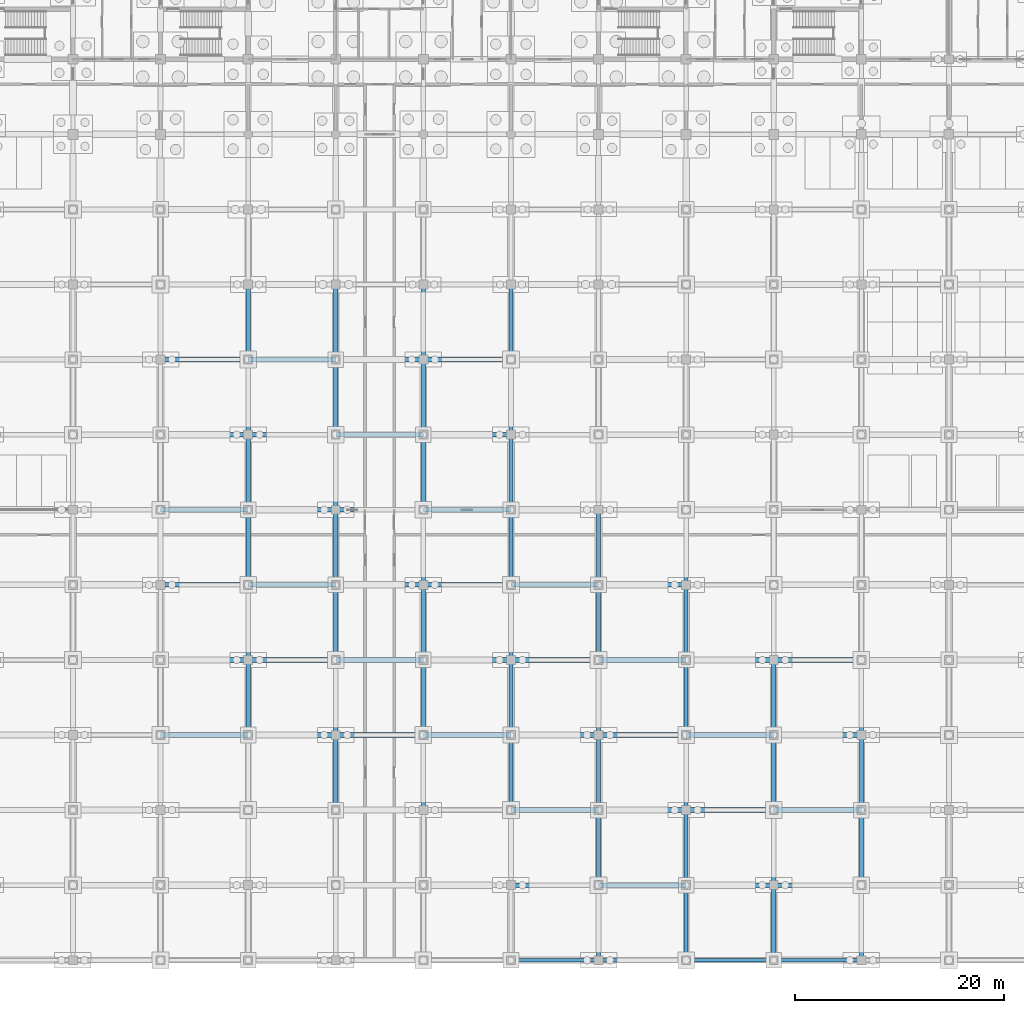
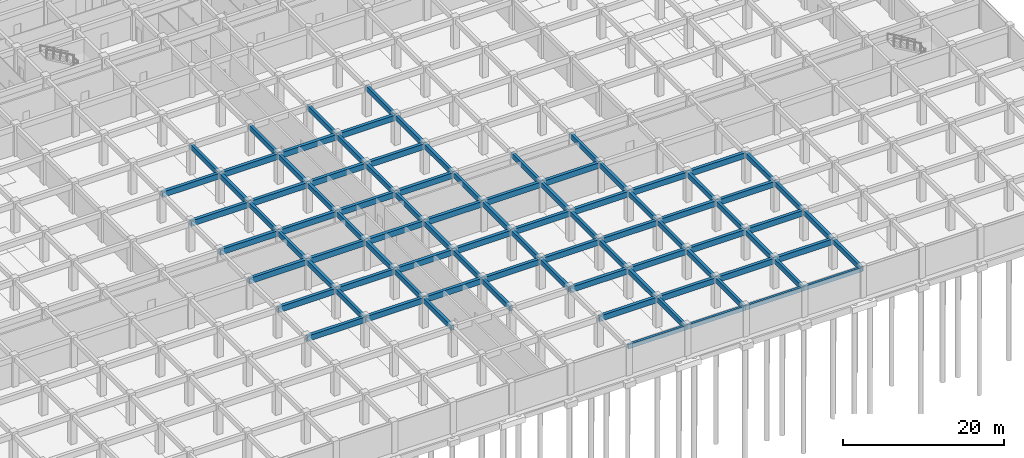
# One storey, part 20 of 85: 93 beams.
"""IFC4 building model written with IfcOpenShell, lengths in metres."""

from ifc_helpers import new_model, si_unit, direction, frame, origin, origin_2d, place, context, subcontext, project, spatial, rectangle, extrude, material, material_profile, profile_set, type_object, element, save


model = new_model("IFC4")

# Units and contexts
model_context = context("Model", 3, precision=1e-05, world=origin(), true_north=direction((0.0, 1.0)))
body_context = subcontext(model_context, "Body", "Model", "MODEL_VIEW")
ifc_project = project(units=[si_unit("LENGTHUNIT", "METRE"), si_unit("AREAUNIT", "SQUARE_METRE"), si_unit("VOLUMEUNIT", "CUBIC_METRE"), si_unit("PLANEANGLEUNIT", "RADIAN"), si_unit("MASSUNIT", "GRAM", prefix="KILO")], contexts=[model_context])

# Site, building, storey
site_placement = place(None, origin())
site = spatial("IfcSite", under=ifc_project, at=site_placement, CompositionType="ELEMENT")
building_placement = place(site_placement, origin())
building = spatial("IfcBuilding", under=site, at=building_placement, Name="Chengyuan Square Courthouse", CompositionType="ELEMENT")
storey_placement = place(building_placement, frame((0.0, 0.0, -10.199951171875)))
storey = spatial("IfcBuildingStorey", under=building, at=storey_placement, Name="B02", CompositionType="ELEMENT", Elevation=-10.199951171875)

# Beams
ifc_material = material(Name="Concrete C40", Category="concrete")
ifc_material_profile_1 = material_profile(ifc_material, rectangle(XDim=0.449951171875, YDim=0.85009765625, at=origin_2d()), Name="RC-BM-450x850")
ifc_profile_set_1 = profile_set([ifc_material_profile_1], Name="Concrete C40")
beam_type_1 = type_object("IfcBeamType", Name="BM-01", PredefinedType="USERDEFINED", material=ifc_profile_set_1)
beam_1_placement = place(storey_placement, frame((92.39990234375, 7.199951171875, 4.054931640625), z_axis=(1.0, 0.0, 0.0), x_axis=(0.0, 1.0, 0.0)))
element("IfcBeam", 1, at=beam_1_placement, inside=storey, type_object=beam_type_1, Name="Girder BM-B02-0032", ObjectType="GIRDER", PredefinedType="USERDEFINED", context=body_context, shape_type="SweptSolid", body=[
    extrude(rectangle(XDim=0.449951171875, YDim=0.85009765625, at=origin_2d()), origin(), (0.0, 0.0, 1.0), 8.400146484375),
])
beam_2_placement = place(storey_placement, frame((100.800048828125, 7.199951171875, 4.054931640625), z_axis=(1.0, 0.0, 0.0), x_axis=(0.0, 1.0, 0.0)))
element("IfcBeam", 2, at=beam_2_placement, inside=storey, type_object=beam_type_1, Name="Girder BM-B02-0033", ObjectType="GIRDER", PredefinedType="USERDEFINED", context=body_context, shape_type="SweptSolid", body=[
    extrude(rectangle(XDim=0.449951171875, YDim=0.85009765625, at=origin_2d()), origin(), (0.0, 0.0, 1.0), 8.39990234375),
])
beam_3_placement = place(storey_placement, frame((109.199951171875, 7.199951171875, 4.054931640625), z_axis=(1.0, 0.0, 0.0), x_axis=(0.0, 1.0, 0.0)))
element("IfcBeam", 3, at=beam_3_placement, inside=storey, type_object=beam_type_1, Name="Girder BM-B02-0034", ObjectType="GIRDER", PredefinedType="USERDEFINED", context=body_context, shape_type="SweptSolid", body=[
    extrude(rectangle(XDim=0.449951171875, YDim=0.85009765625, at=origin_2d()), origin(), (0.0, 0.0, 1.0), 8.400146484375),
])
beam_4_placement = place(storey_placement, frame((117.60009765625, 7.199951171875, 4.054931640625), z_axis=(1.0, 0.0, 0.0), x_axis=(0.0, 1.0, 0.0)))
element("IfcBeam", 4, at=beam_4_placement, inside=storey, type_object=beam_type_1, Name="Girder BM-B02-0035", ObjectType="GIRDER", PredefinedType="USERDEFINED", context=body_context, shape_type="SweptSolid", body=[
    extrude(rectangle(XDim=0.449951171875, YDim=0.85009765625, at=origin_2d()), origin(), (0.0, 0.0, 1.0), 8.39990234375),
])
beam_5_placement = place(storey_placement, frame((92.39990234375, 14.39990234375, 4.054931640625), z_axis=(1.0, 0.0, 0.0), x_axis=(0.0, 1.0, 0.0)))
element("IfcBeam", 5, at=beam_5_placement, inside=storey, type_object=beam_type_1, Name="Girder BM-B02-0052", ObjectType="GIRDER", PredefinedType="USERDEFINED", context=body_context, shape_type="SweptSolid", body=[
    extrude(rectangle(XDim=0.449951171875, YDim=0.85009765625, at=origin_2d()), origin(), (0.0, 0.0, 1.0), 8.400146484375),
])
beam_6_placement = place(storey_placement, frame((100.800048828125, 14.39990234375, 4.054931640625), z_axis=(1.0, 0.0, 0.0), x_axis=(0.0, 1.0, 0.0)))
element("IfcBeam", 6, at=beam_6_placement, inside=storey, type_object=beam_type_1, Name="Girder BM-B02-0053", ObjectType="GIRDER", PredefinedType="USERDEFINED", context=body_context, shape_type="SweptSolid", body=[
    extrude(rectangle(XDim=0.449951171875, YDim=0.85009765625, at=origin_2d()), origin(), (0.0, 0.0, 1.0), 8.39990234375),
])
beam_7_placement = place(storey_placement, frame((109.199951171875, 14.39990234375, 4.054931640625), z_axis=(1.0, 0.0, 0.0), x_axis=(0.0, 1.0, 0.0)))
element("IfcBeam", 7, at=beam_7_placement, inside=storey, type_object=beam_type_1, Name="Girder BM-B02-0054", ObjectType="GIRDER", PredefinedType="USERDEFINED", context=body_context, shape_type="SweptSolid", body=[
    extrude(rectangle(XDim=0.449951171875, YDim=0.85009765625, at=origin_2d()), origin(), (0.0, 0.0, 1.0), 8.400146484375),
])
for number, where, z_axis, x_axis, name in (
    (8, (117.60009765625, 14.39990234375, 4.054931640625), (1.0, 0.0, 0.0), (0.0, 1.0, 0.0), "Girder BM-B02-0055"),
    (9, (58.800048828125, 21.60009765625, 4.054931640625), (1.0, 0.0, 0.0), (0.0, 1.0, 0.0), "Girder BM-B02-0068"),
):
    element("IfcBeam", number, at=place(storey_placement, frame(where, z_axis=z_axis, x_axis=x_axis)), inside=storey, type_object=beam_type_1, Name=name, ObjectType="GIRDER", PredefinedType="USERDEFINED", context=body_context, shape_type="SweptSolid", body=[
        extrude(rectangle(XDim=0.449951171875, YDim=0.85009765625, at=origin_2d()), origin(), (0.0, 0.0, 1.0), 8.39990234375),
    ])
beam_8_placement = place(storey_placement, frame((67.199951171875, 21.60009765625, 4.054931640625), z_axis=(1.0, 0.0, 0.0), x_axis=(0.0, 1.0, 0.0)))
element("IfcBeam", 10, at=beam_8_placement, inside=storey, type_object=beam_type_1, Name="Girder BM-B02-0069", ObjectType="GIRDER", PredefinedType="USERDEFINED", context=body_context, shape_type="SweptSolid", body=[
    extrude(rectangle(XDim=0.449951171875, YDim=0.85009765625, at=origin_2d()), origin(), (0.0, 0.0, 1.0), 8.400146484375),
])
for number, where, z_axis, x_axis, name in (
    (11, (75.60009765625, 21.60009765625, 4.054931640625), (1.0, 0.0, 0.0), (0.0, 1.0, 0.0), "Girder BM-B02-0070"),
    (12, (84.0, 21.60009765625, 4.054931640625), (1.0, 0.0, 0.0), (0.0, 1.0, 0.0), "Girder BM-B02-0071"),
):
    element("IfcBeam", number, at=place(storey_placement, frame(where, z_axis=z_axis, x_axis=x_axis)), inside=storey, type_object=beam_type_1, Name=name, ObjectType="GIRDER", PredefinedType="USERDEFINED", context=body_context, shape_type="SweptSolid", body=[
        extrude(rectangle(XDim=0.449951171875, YDim=0.85009765625, at=origin_2d()), origin(), (0.0, 0.0, 1.0), 8.39990234375),
    ])
beam_9_placement = place(storey_placement, frame((92.39990234375, 21.60009765625, 4.054931640625), z_axis=(1.0, 0.0, 0.0), x_axis=(0.0, 1.0, 0.0)))
element("IfcBeam", 13, at=beam_9_placement, inside=storey, type_object=beam_type_1, Name="Girder BM-B02-0072", ObjectType="GIRDER", PredefinedType="USERDEFINED", context=body_context, shape_type="SweptSolid", body=[
    extrude(rectangle(XDim=0.449951171875, YDim=0.85009765625, at=origin_2d()), origin(), (0.0, 0.0, 1.0), 8.400146484375),
])
beam_10_placement = place(storey_placement, frame((100.800048828125, 21.60009765625, 4.054931640625), z_axis=(1.0, 0.0, 0.0), x_axis=(0.0, 1.0, 0.0)))
element("IfcBeam", 14, at=beam_10_placement, inside=storey, type_object=beam_type_1, Name="Girder BM-B02-0073", ObjectType="GIRDER", PredefinedType="USERDEFINED", context=body_context, shape_type="SweptSolid", body=[
    extrude(rectangle(XDim=0.449951171875, YDim=0.85009765625, at=origin_2d()), origin(), (0.0, 0.0, 1.0), 8.39990234375),
])
beam_11_placement = place(storey_placement, frame((109.199951171875, 21.60009765625, 4.054931640625), z_axis=(1.0, 0.0, 0.0), x_axis=(0.0, 1.0, 0.0)))
element("IfcBeam", 15, at=beam_11_placement, inside=storey, type_object=beam_type_1, Name="Girder BM-B02-0074", ObjectType="GIRDER", PredefinedType="USERDEFINED", context=body_context, shape_type="SweptSolid", body=[
    extrude(rectangle(XDim=0.449951171875, YDim=0.85009765625, at=origin_2d()), origin(), (0.0, 0.0, 1.0), 8.400146484375),
])
for number, where, z_axis, x_axis, name in (
    (16, (117.60009765625, 21.60009765625, 4.054931640625), (1.0, 0.0, 0.0), (0.0, 1.0, 0.0), "Girder BM-B02-0075"),
    (17, (58.800048828125, 28.800048828125, 4.054931640625), (1.0, 0.0, 0.0), (0.0, 1.0, 0.0), "Girder BM-B02-0088"),
):
    element("IfcBeam", number, at=place(storey_placement, frame(where, z_axis=z_axis, x_axis=x_axis)), inside=storey, type_object=beam_type_1, Name=name, ObjectType="GIRDER", PredefinedType="USERDEFINED", context=body_context, shape_type="SweptSolid", body=[
        extrude(rectangle(XDim=0.449951171875, YDim=0.85009765625, at=origin_2d()), origin(), (0.0, 0.0, 1.0), 8.39990234375),
    ])
beam_12_placement = place(storey_placement, frame((67.199951171875, 28.800048828125, 4.054931640625), z_axis=(1.0, 0.0, 0.0), x_axis=(0.0, 1.0, 0.0)))
element("IfcBeam", 18, at=beam_12_placement, inside=storey, type_object=beam_type_1, Name="Girder BM-B02-0089", ObjectType="GIRDER", PredefinedType="USERDEFINED", context=body_context, shape_type="SweptSolid", body=[
    extrude(rectangle(XDim=0.449951171875, YDim=0.85009765625, at=origin_2d()), origin(), (0.0, 0.0, 1.0), 8.400146484375),
])
for number, where, z_axis, x_axis, name in (
    (19, (75.60009765625, 28.800048828125, 4.054931640625), (1.0, 0.0, 0.0), (0.0, 1.0, 0.0), "Girder BM-B02-0090"),
    (20, (84.0, 28.800048828125, 4.054931640625), (1.0, 0.0, 0.0), (0.0, 1.0, 0.0), "Girder BM-B02-0091"),
):
    element("IfcBeam", number, at=place(storey_placement, frame(where, z_axis=z_axis, x_axis=x_axis)), inside=storey, type_object=beam_type_1, Name=name, ObjectType="GIRDER", PredefinedType="USERDEFINED", context=body_context, shape_type="SweptSolid", body=[
        extrude(rectangle(XDim=0.449951171875, YDim=0.85009765625, at=origin_2d()), origin(), (0.0, 0.0, 1.0), 8.39990234375),
    ])
beam_13_placement = place(storey_placement, frame((92.39990234375, 28.800048828125, 4.054931640625), z_axis=(1.0, 0.0, 0.0), x_axis=(0.0, 1.0, 0.0)))
element("IfcBeam", 21, at=beam_13_placement, inside=storey, type_object=beam_type_1, Name="Girder BM-B02-0092", ObjectType="GIRDER", PredefinedType="USERDEFINED", context=body_context, shape_type="SweptSolid", body=[
    extrude(rectangle(XDim=0.449951171875, YDim=0.85009765625, at=origin_2d()), origin(), (0.0, 0.0, 1.0), 8.400146484375),
])
beam_14_placement = place(storey_placement, frame((100.800048828125, 28.800048828125, 4.054931640625), z_axis=(1.0, 0.0, 0.0), x_axis=(0.0, 1.0, 0.0)))
element("IfcBeam", 22, at=beam_14_placement, inside=storey, type_object=beam_type_1, Name="Girder BM-B02-0093", ObjectType="GIRDER", PredefinedType="USERDEFINED", context=body_context, shape_type="SweptSolid", body=[
    extrude(rectangle(XDim=0.449951171875, YDim=0.85009765625, at=origin_2d()), origin(), (0.0, 0.0, 1.0), 8.39990234375),
])
beam_15_placement = place(storey_placement, frame((109.199951171875, 28.800048828125, 4.054931640625), z_axis=(1.0, 0.0, 0.0), x_axis=(0.0, 1.0, 0.0)))
element("IfcBeam", 23, at=beam_15_placement, inside=storey, type_object=beam_type_1, Name="Girder BM-B02-0094", ObjectType="GIRDER", PredefinedType="USERDEFINED", context=body_context, shape_type="SweptSolid", body=[
    extrude(rectangle(XDim=0.449951171875, YDim=0.85009765625, at=origin_2d()), origin(), (0.0, 0.0, 1.0), 8.400146484375),
])
for number, where, z_axis, x_axis, name in (
    (24, (117.60009765625, 28.800048828125, 4.054931640625), (1.0, 0.0, 0.0), (0.0, 1.0, 0.0), "Girder BM-B02-0095"),
    (25, (58.800048828125, 36.0, 4.054931640625), (1.0, 0.0, 0.0), (0.0, 1.0, 0.0), "Girder BM-B02-0108"),
):
    element("IfcBeam", number, at=place(storey_placement, frame(where, z_axis=z_axis, x_axis=x_axis)), inside=storey, type_object=beam_type_1, Name=name, ObjectType="GIRDER", PredefinedType="USERDEFINED", context=body_context, shape_type="SweptSolid", body=[
        extrude(rectangle(XDim=0.449951171875, YDim=0.85009765625, at=origin_2d()), origin(), (0.0, 0.0, 1.0), 8.39990234375),
    ])
beam_16_placement = place(storey_placement, frame((67.199951171875, 36.0, 4.054931640625), z_axis=(1.0, 0.0, 0.0), x_axis=(0.0, 1.0, 0.0)))
element("IfcBeam", 26, at=beam_16_placement, inside=storey, type_object=beam_type_1, Name="Girder BM-B02-0109", ObjectType="GIRDER", PredefinedType="USERDEFINED", context=body_context, shape_type="SweptSolid", body=[
    extrude(rectangle(XDim=0.449951171875, YDim=0.85009765625, at=origin_2d()), origin(), (0.0, 0.0, 1.0), 8.400146484375),
])
for number, where, z_axis, x_axis, name in (
    (27, (75.60009765625, 36.0, 4.054931640625), (1.0, 0.0, 0.0), (0.0, 1.0, 0.0), "Girder BM-B02-0110"),
    (28, (84.0, 36.0, 4.054931640625), (1.0, 0.0, 0.0), (0.0, 1.0, 0.0), "Girder BM-B02-0111"),
):
    element("IfcBeam", number, at=place(storey_placement, frame(where, z_axis=z_axis, x_axis=x_axis)), inside=storey, type_object=beam_type_1, Name=name, ObjectType="GIRDER", PredefinedType="USERDEFINED", context=body_context, shape_type="SweptSolid", body=[
        extrude(rectangle(XDim=0.449951171875, YDim=0.85009765625, at=origin_2d()), origin(), (0.0, 0.0, 1.0), 8.39990234375),
    ])
beam_17_placement = place(storey_placement, frame((92.39990234375, 36.0, 4.054931640625), z_axis=(1.0, 0.0, 0.0), x_axis=(0.0, 1.0, 0.0)))
element("IfcBeam", 29, at=beam_17_placement, inside=storey, type_object=beam_type_1, Name="Girder BM-B02-0112", ObjectType="GIRDER", PredefinedType="USERDEFINED", context=body_context, shape_type="SweptSolid", body=[
    extrude(rectangle(XDim=0.449951171875, YDim=0.85009765625, at=origin_2d()), origin(), (0.0, 0.0, 1.0), 8.400146484375),
])
for number, where, z_axis, x_axis, name in (
    (30, (100.800048828125, 36.0, 4.054931640625), (1.0, 0.0, 0.0), (0.0, 1.0, 0.0), "Girder BM-B02-0113"),
    (31, (58.800048828125, 43.199951171875, 4.054931640625), (1.0, 0.0, 0.0), (0.0, 1.0, 0.0), "Girder BM-B02-0128"),
):
    element("IfcBeam", number, at=place(storey_placement, frame(where, z_axis=z_axis, x_axis=x_axis)), inside=storey, type_object=beam_type_1, Name=name, ObjectType="GIRDER", PredefinedType="USERDEFINED", context=body_context, shape_type="SweptSolid", body=[
        extrude(rectangle(XDim=0.449951171875, YDim=0.85009765625, at=origin_2d()), origin(), (0.0, 0.0, 1.0), 8.39990234375),
    ])
beam_18_placement = place(storey_placement, frame((67.199951171875, 43.199951171875, 4.054931640625), z_axis=(1.0, 0.0, 0.0), x_axis=(0.0, 1.0, 0.0)))
element("IfcBeam", 32, at=beam_18_placement, inside=storey, type_object=beam_type_1, Name="Girder BM-B02-0129", ObjectType="GIRDER", PredefinedType="USERDEFINED", context=body_context, shape_type="SweptSolid", body=[
    extrude(rectangle(XDim=0.449951171875, YDim=0.85009765625, at=origin_2d()), origin(), (0.0, 0.0, 1.0), 8.400146484375),
])
for number, where, z_axis, x_axis, name in (
    (33, (75.60009765625, 43.199951171875, 4.054931640625), (1.0, 0.0, 0.0), (0.0, 1.0, 0.0), "Girder BM-B02-0130"),
    (34, (84.0, 43.199951171875, 4.054931640625), (1.0, 0.0, 0.0), (0.0, 1.0, 0.0), "Girder BM-B02-0131"),
    (35, (58.800048828125, 50.39990234375, 4.054931640625), (1.0, 0.0, 0.0), (0.0, 1.0, 0.0), "Girder BM-B02-0148"),
):
    element("IfcBeam", number, at=place(storey_placement, frame(where, z_axis=z_axis, x_axis=x_axis)), inside=storey, type_object=beam_type_1, Name=name, ObjectType="GIRDER", PredefinedType="USERDEFINED", context=body_context, shape_type="SweptSolid", body=[
        extrude(rectangle(XDim=0.449951171875, YDim=0.85009765625, at=origin_2d()), origin(), (0.0, 0.0, 1.0), 8.39990234375),
    ])
beam_19_placement = place(storey_placement, frame((67.199951171875, 50.39990234375, 4.054931640625), z_axis=(1.0, 0.0, 0.0), x_axis=(0.0, 1.0, 0.0)))
element("IfcBeam", 36, at=beam_19_placement, inside=storey, type_object=beam_type_1, Name="Girder BM-B02-0149", ObjectType="GIRDER", PredefinedType="USERDEFINED", context=body_context, shape_type="SweptSolid", body=[
    extrude(rectangle(XDim=0.449951171875, YDim=0.85009765625, at=origin_2d()), origin(), (0.0, 0.0, 1.0), 8.400146484375),
])
for number, where, z_axis, x_axis, name in (
    (37, (75.60009765625, 50.39990234375, 4.054931640625), (1.0, 0.0, 0.0), (0.0, 1.0, 0.0), "Girder BM-B02-0150"),
    (38, (84.0, 50.39990234375, 4.054931640625), (1.0, 0.0, 0.0), (0.0, 1.0, 0.0), "Girder BM-B02-0151"),
    (39, (58.800048828125, 57.60009765625, 4.054931640625), (1.0, 0.0, 0.0), (0.0, 1.0, 0.0), "Girder BM-B02-0168"),
):
    element("IfcBeam", number, at=place(storey_placement, frame(where, z_axis=z_axis, x_axis=x_axis)), inside=storey, type_object=beam_type_1, Name=name, ObjectType="GIRDER", PredefinedType="USERDEFINED", context=body_context, shape_type="SweptSolid", body=[
        extrude(rectangle(XDim=0.449951171875, YDim=0.85009765625, at=origin_2d()), origin(), (0.0, 0.0, 1.0), 8.39990234375),
    ])
beam_20_placement = place(storey_placement, frame((67.199951171875, 57.60009765625, 4.054931640625), z_axis=(1.0, 0.0, 0.0), x_axis=(0.0, 1.0, 0.0)))
element("IfcBeam", 40, at=beam_20_placement, inside=storey, type_object=beam_type_1, Name="Girder BM-B02-0169", ObjectType="GIRDER", PredefinedType="USERDEFINED", context=body_context, shape_type="SweptSolid", body=[
    extrude(rectangle(XDim=0.449951171875, YDim=0.85009765625, at=origin_2d()), origin(), (0.0, 0.0, 1.0), 8.400146484375),
])
for number, where, z_axis, x_axis, name in (
    (41, (75.60009765625, 57.60009765625, 4.054931640625), (1.0, 0.0, 0.0), (0.0, 1.0, 0.0), "Girder BM-B02-0170"),
    (42, (84.0, 57.60009765625, 4.054931640625), (1.0, 0.0, 0.0), (0.0, 1.0, 0.0), "Girder BM-B02-0171"),
):
    element("IfcBeam", number, at=place(storey_placement, frame(where, z_axis=z_axis, x_axis=x_axis)), inside=storey, type_object=beam_type_1, Name=name, ObjectType="GIRDER", PredefinedType="USERDEFINED", context=body_context, shape_type="SweptSolid", body=[
        extrude(rectangle(XDim=0.449951171875, YDim=0.85009765625, at=origin_2d()), origin(), (0.0, 0.0, 1.0), 8.39990234375),
    ])
ifc_material_profile_2 = material_profile(ifc_material, rectangle(XDim=0.39990234375, YDim=0.75, at=origin_2d()), Name="RC-BM-400x750")
ifc_profile_set_2 = profile_set([ifc_material_profile_2], Name="Concrete C40")
beam_type_2 = type_object("IfcBeamType", Name="BM-02", PredefinedType="USERDEFINED", material=ifc_profile_set_2)
for number, where, z_axis, x_axis, name in (
    (43, (67.199951171875, 21.60009765625, 4.10498046875), (0.0, 1.0, 0.0), (-1.0, 0.0, 0.0), "Girder BM-B02-0467"),
    (44, (67.199951171875, 28.800048828125, 4.10498046875), (0.0, 1.0, 0.0), (-1.0, 0.0, 0.0), "Girder BM-B02-0468"),
    (45, (67.199951171875, 36.0, 4.10498046875), (0.0, 1.0, 0.0), (-1.0, 0.0, 0.0), "Girder BM-B02-0469"),
    (46, (67.199951171875, 43.199951171875, 4.10498046875), (0.0, 1.0, 0.0), (-1.0, 0.0, 0.0), "Girder BM-B02-0470"),
):
    element("IfcBeam", number, at=place(storey_placement, frame(where, z_axis=z_axis, x_axis=x_axis)), inside=storey, type_object=beam_type_2, Name=name, ObjectType="GIRDER", PredefinedType="USERDEFINED", context=body_context, shape_type="SweptSolid", body=[
        extrude(rectangle(XDim=0.39990234375, YDim=0.75, at=origin_2d()), origin(), (0.0, 0.0, 1.0), 7.199951171875),
    ])
beam_21_placement = place(storey_placement, frame((67.199951171875, 50.39990234375, 4.10498046875), z_axis=(0.0, 1.0, 0.0), x_axis=(-1.0, 0.0, 0.0)))
element("IfcBeam", 47, at=beam_21_placement, inside=storey, type_object=beam_type_2, Name="Girder BM-B02-0471", ObjectType="GIRDER", PredefinedType="USERDEFINED", context=body_context, shape_type="SweptSolid", body=[
    extrude(rectangle(XDim=0.39990234375, YDim=0.75, at=origin_2d()), origin(), (0.0, 0.0, 1.0), 7.2001953125),
])
beam_22_placement = place(storey_placement, frame((67.199951171875, 57.60009765625, 4.10498046875), z_axis=(0.0, 1.0, 0.0), x_axis=(-1.0, 0.0, 0.0)))
element("IfcBeam", 48, at=beam_22_placement, inside=storey, type_object=beam_type_2, Name="Girder BM-B02-0472", ObjectType="GIRDER", PredefinedType="USERDEFINED", context=body_context, shape_type="SweptSolid", body=[
    extrude(rectangle(XDim=0.39990234375, YDim=0.75, at=origin_2d()), origin(), (0.0, 0.0, 1.0), 7.199951171875),
])
beam_23_placement = place(storey_placement, frame((75.60009765625, 14.39990234375, 4.10498046875), z_axis=(0.0, 1.0, 0.0), x_axis=(-1.0, 0.0, 0.0)))
element("IfcBeam", 49, at=beam_23_placement, inside=storey, type_object=beam_type_2, Name="Girder BM-B02-0482", ObjectType="GIRDER", PredefinedType="USERDEFINED", context=body_context, shape_type="SweptSolid", body=[
    extrude(rectangle(XDim=0.39990234375, YDim=0.75, at=origin_2d()), origin(), (0.0, 0.0, 1.0), 7.2001953125),
])
for number, where, z_axis, x_axis, name in (
    (50, (75.60009765625, 21.60009765625, 4.10498046875), (0.0, 1.0, 0.0), (-1.0, 0.0, 0.0), "Girder BM-B02-0483"),
    (51, (75.60009765625, 28.800048828125, 4.10498046875), (0.0, 1.0, 0.0), (-1.0, 0.0, 0.0), "Girder BM-B02-0484"),
    (52, (75.60009765625, 36.0, 4.10498046875), (0.0, 1.0, 0.0), (-1.0, 0.0, 0.0), "Girder BM-B02-0485"),
    (53, (75.60009765625, 43.199951171875, 4.10498046875), (0.0, 1.0, 0.0), (-1.0, 0.0, 0.0), "Girder BM-B02-0486"),
):
    element("IfcBeam", number, at=place(storey_placement, frame(where, z_axis=z_axis, x_axis=x_axis)), inside=storey, type_object=beam_type_2, Name=name, ObjectType="GIRDER", PredefinedType="USERDEFINED", context=body_context, shape_type="SweptSolid", body=[
        extrude(rectangle(XDim=0.39990234375, YDim=0.75, at=origin_2d()), origin(), (0.0, 0.0, 1.0), 7.199951171875),
    ])
beam_24_placement = place(storey_placement, frame((75.60009765625, 50.39990234375, 4.10498046875), z_axis=(0.0, 1.0, 0.0), x_axis=(-1.0, 0.0, 0.0)))
element("IfcBeam", 54, at=beam_24_placement, inside=storey, type_object=beam_type_2, Name="Girder BM-B02-0487", ObjectType="GIRDER", PredefinedType="USERDEFINED", context=body_context, shape_type="SweptSolid", body=[
    extrude(rectangle(XDim=0.39990234375, YDim=0.75, at=origin_2d()), origin(), (0.0, 0.0, 1.0), 7.2001953125),
])
beam_25_placement = place(storey_placement, frame((75.60009765625, 57.60009765625, 4.10498046875), z_axis=(0.0, 1.0, 0.0), x_axis=(-1.0, 0.0, 0.0)))
element("IfcBeam", 55, at=beam_25_placement, inside=storey, type_object=beam_type_2, Name="Girder BM-B02-0488", ObjectType="GIRDER", PredefinedType="USERDEFINED", context=body_context, shape_type="SweptSolid", body=[
    extrude(rectangle(XDim=0.39990234375, YDim=0.75, at=origin_2d()), origin(), (0.0, 0.0, 1.0), 7.199951171875),
])
beam_26_placement = place(storey_placement, frame((84.0, 14.39990234375, 4.10498046875), z_axis=(0.0, 1.0, 0.0), x_axis=(-1.0, 0.0, 0.0)))
element("IfcBeam", 56, at=beam_26_placement, inside=storey, type_object=beam_type_2, Name="Girder BM-B02-0498", ObjectType="GIRDER", PredefinedType="USERDEFINED", context=body_context, shape_type="SweptSolid", body=[
    extrude(rectangle(XDim=0.39990234375, YDim=0.75, at=origin_2d()), origin(), (0.0, 0.0, 1.0), 7.2001953125),
])
for number, where, z_axis, x_axis, name in (
    (57, (84.0, 21.60009765625, 4.10498046875), (0.0, 1.0, 0.0), (-1.0, 0.0, 0.0), "Girder BM-B02-0499"),
    (58, (84.0, 28.800048828125, 4.10498046875), (0.0, 1.0, 0.0), (-1.0, 0.0, 0.0), "Girder BM-B02-0500"),
    (59, (84.0, 36.0, 4.10498046875), (0.0, 1.0, 0.0), (-1.0, 0.0, 0.0), "Girder BM-B02-0501"),
    (60, (84.0, 43.199951171875, 4.10498046875), (0.0, 1.0, 0.0), (-1.0, 0.0, 0.0), "Girder BM-B02-0502"),
):
    element("IfcBeam", number, at=place(storey_placement, frame(where, z_axis=z_axis, x_axis=x_axis)), inside=storey, type_object=beam_type_2, Name=name, ObjectType="GIRDER", PredefinedType="USERDEFINED", context=body_context, shape_type="SweptSolid", body=[
        extrude(rectangle(XDim=0.39990234375, YDim=0.75, at=origin_2d()), origin(), (0.0, 0.0, 1.0), 7.199951171875),
    ])
beam_27_placement = place(storey_placement, frame((84.0, 50.39990234375, 4.10498046875), z_axis=(0.0, 1.0, 0.0), x_axis=(-1.0, 0.0, 0.0)))
element("IfcBeam", 61, at=beam_27_placement, inside=storey, type_object=beam_type_2, Name="Girder BM-B02-0503", ObjectType="GIRDER", PredefinedType="USERDEFINED", context=body_context, shape_type="SweptSolid", body=[
    extrude(rectangle(XDim=0.39990234375, YDim=0.75, at=origin_2d()), origin(), (0.0, 0.0, 1.0), 7.2001953125),
])
beam_28_placement = place(storey_placement, frame((84.0, 57.60009765625, 4.10498046875), z_axis=(0.0, 1.0, 0.0), x_axis=(-1.0, 0.0, 0.0)))
element("IfcBeam", 62, at=beam_28_placement, inside=storey, type_object=beam_type_2, Name="Girder BM-B02-0504", ObjectType="GIRDER", PredefinedType="USERDEFINED", context=body_context, shape_type="SweptSolid", body=[
    extrude(rectangle(XDim=0.39990234375, YDim=0.75, at=origin_2d()), origin(), (0.0, 0.0, 1.0), 7.199951171875),
])
beam_29_placement = place(storey_placement, frame((92.39990234375, 14.39990234375, 4.10498046875), z_axis=(0.0, 1.0, 0.0), x_axis=(-1.0, 0.0, 0.0)))
element("IfcBeam", 63, at=beam_29_placement, inside=storey, type_object=beam_type_2, Name="Girder BM-B02-0514", ObjectType="GIRDER", PredefinedType="USERDEFINED", context=body_context, shape_type="SweptSolid", body=[
    extrude(rectangle(XDim=0.39990234375, YDim=0.75, at=origin_2d()), origin(), (0.0, 0.0, 1.0), 7.2001953125),
])
for number, where, z_axis, x_axis, name in (
    (64, (92.39990234375, 21.60009765625, 4.10498046875), (0.0, 1.0, 0.0), (-1.0, 0.0, 0.0), "Girder BM-B02-0515"),
    (65, (92.39990234375, 28.800048828125, 4.10498046875), (0.0, 1.0, 0.0), (-1.0, 0.0, 0.0), "Girder BM-B02-0516"),
    (66, (92.39990234375, 36.0, 4.10498046875), (0.0, 1.0, 0.0), (-1.0, 0.0, 0.0), "Girder BM-B02-0517"),
    (67, (92.39990234375, 43.199951171875, 4.10498046875), (0.0, 1.0, 0.0), (-1.0, 0.0, 0.0), "Girder BM-B02-0518"),
):
    element("IfcBeam", number, at=place(storey_placement, frame(where, z_axis=z_axis, x_axis=x_axis)), inside=storey, type_object=beam_type_2, Name=name, ObjectType="GIRDER", PredefinedType="USERDEFINED", context=body_context, shape_type="SweptSolid", body=[
        extrude(rectangle(XDim=0.39990234375, YDim=0.75, at=origin_2d()), origin(), (0.0, 0.0, 1.0), 7.199951171875),
    ])
beam_30_placement = place(storey_placement, frame((92.39990234375, 50.39990234375, 4.10498046875), z_axis=(0.0, 1.0, 0.0), x_axis=(-1.0, 0.0, 0.0)))
element("IfcBeam", 68, at=beam_30_placement, inside=storey, type_object=beam_type_2, Name="Girder BM-B02-0519", ObjectType="GIRDER", PredefinedType="USERDEFINED", context=body_context, shape_type="SweptSolid", body=[
    extrude(rectangle(XDim=0.39990234375, YDim=0.75, at=origin_2d()), origin(), (0.0, 0.0, 1.0), 7.2001953125),
])
for number, where, z_axis, x_axis, name in (
    (69, (92.39990234375, 57.60009765625, 4.10498046875), (0.0, 1.0, 0.0), (-1.0, 0.0, 0.0), "Girder BM-B02-0520"),
    (70, (100.800048828125, 0.0, 4.10498046875), (0.0, 1.0, 0.0), (-1.0, 0.0, 0.0), "Girder BM-B02-0528"),
    (71, (100.800048828125, 7.199951171875, 4.10498046875), (0.0, 1.0, 0.0), (-1.0, 0.0, 0.0), "Girder BM-B02-0529"),
):
    element("IfcBeam", number, at=place(storey_placement, frame(where, z_axis=z_axis, x_axis=x_axis)), inside=storey, type_object=beam_type_2, Name=name, ObjectType="GIRDER", PredefinedType="USERDEFINED", context=body_context, shape_type="SweptSolid", body=[
        extrude(rectangle(XDim=0.39990234375, YDim=0.75, at=origin_2d()), origin(), (0.0, 0.0, 1.0), 7.199951171875),
    ])
beam_31_placement = place(storey_placement, frame((100.800048828125, 14.39990234375, 4.10498046875), z_axis=(0.0, 1.0, 0.0), x_axis=(-1.0, 0.0, 0.0)))
element("IfcBeam", 72, at=beam_31_placement, inside=storey, type_object=beam_type_2, Name="Girder BM-B02-0530", ObjectType="GIRDER", PredefinedType="USERDEFINED", context=body_context, shape_type="SweptSolid", body=[
    extrude(rectangle(XDim=0.39990234375, YDim=0.75, at=origin_2d()), origin(), (0.0, 0.0, 1.0), 7.2001953125),
])
for number, where, z_axis, x_axis, name in (
    (73, (100.800048828125, 21.60009765625, 4.10498046875), (0.0, 1.0, 0.0), (-1.0, 0.0, 0.0), "Girder BM-B02-0531"),
    (74, (100.800048828125, 28.800048828125, 4.10498046875), (0.0, 1.0, 0.0), (-1.0, 0.0, 0.0), "Girder BM-B02-0532"),
    (75, (100.800048828125, 36.0, 4.10498046875), (0.0, 1.0, 0.0), (-1.0, 0.0, 0.0), "Girder BM-B02-0533"),
    (76, (109.199951171875, 0.0, 4.10498046875), (0.0, 1.0, 0.0), (-1.0, 0.0, 0.0), "Girder BM-B02-0544"),
    (77, (109.199951171875, 7.199951171875, 4.10498046875), (0.0, 1.0, 0.0), (-1.0, 0.0, 0.0), "Girder BM-B02-0545"),
):
    element("IfcBeam", number, at=place(storey_placement, frame(where, z_axis=z_axis, x_axis=x_axis)), inside=storey, type_object=beam_type_2, Name=name, ObjectType="GIRDER", PredefinedType="USERDEFINED", context=body_context, shape_type="SweptSolid", body=[
        extrude(rectangle(XDim=0.39990234375, YDim=0.75, at=origin_2d()), origin(), (0.0, 0.0, 1.0), 7.199951171875),
    ])
beam_32_placement = place(storey_placement, frame((109.199951171875, 14.39990234375, 4.10498046875), z_axis=(0.0, 1.0, 0.0), x_axis=(-1.0, 0.0, 0.0)))
element("IfcBeam", 78, at=beam_32_placement, inside=storey, type_object=beam_type_2, Name="Girder BM-B02-0546", ObjectType="GIRDER", PredefinedType="USERDEFINED", context=body_context, shape_type="SweptSolid", body=[
    extrude(rectangle(XDim=0.39990234375, YDim=0.75, at=origin_2d()), origin(), (0.0, 0.0, 1.0), 7.2001953125),
])
for number, where, z_axis, x_axis, name in (
    (79, (109.199951171875, 21.60009765625, 4.10498046875), (0.0, 1.0, 0.0), (-1.0, 0.0, 0.0), "Girder BM-B02-0547"),
    (80, (109.199951171875, 28.800048828125, 4.10498046875), (0.0, 1.0, 0.0), (-1.0, 0.0, 0.0), "Girder BM-B02-0548"),
    (81, (109.199951171875, 36.0, 4.10498046875), (0.0, 1.0, 0.0), (-1.0, 0.0, 0.0), "Girder BM-B02-0549"),
    (82, (117.60009765625, 0.0, 4.10498046875), (0.0, 1.0, 0.0), (-1.0, 0.0, 0.0), "Girder BM-B02-0560"),
    (83, (117.60009765625, 7.199951171875, 4.10498046875), (0.0, 1.0, 0.0), (-1.0, 0.0, 0.0), "Girder BM-B02-0561"),
):
    element("IfcBeam", number, at=place(storey_placement, frame(where, z_axis=z_axis, x_axis=x_axis)), inside=storey, type_object=beam_type_2, Name=name, ObjectType="GIRDER", PredefinedType="USERDEFINED", context=body_context, shape_type="SweptSolid", body=[
        extrude(rectangle(XDim=0.39990234375, YDim=0.75, at=origin_2d()), origin(), (0.0, 0.0, 1.0), 7.199951171875),
    ])
beam_33_placement = place(storey_placement, frame((117.60009765625, 14.39990234375, 4.10498046875), z_axis=(0.0, 1.0, 0.0), x_axis=(-1.0, 0.0, 0.0)))
element("IfcBeam", 84, at=beam_33_placement, inside=storey, type_object=beam_type_2, Name="Girder BM-B02-0562", ObjectType="GIRDER", PredefinedType="USERDEFINED", context=body_context, shape_type="SweptSolid", body=[
    extrude(rectangle(XDim=0.39990234375, YDim=0.75, at=origin_2d()), origin(), (0.0, 0.0, 1.0), 7.2001953125),
])
for number, where, z_axis, x_axis, name in (
    (85, (117.60009765625, 21.60009765625, 4.10498046875), (0.0, 1.0, 0.0), (-1.0, 0.0, 0.0), "Girder BM-B02-0563"),
    (86, (126.0, 0.0, 4.10498046875), (0.0, 1.0, 0.0), (-1.0, 0.0, 0.0), "Girder BM-B02-0576"),
    (87, (126.0, 7.199951171875, 4.10498046875), (0.0, 1.0, 0.0), (-1.0, 0.0, 0.0), "Girder BM-B02-0577"),
):
    element("IfcBeam", number, at=place(storey_placement, frame(where, z_axis=z_axis, x_axis=x_axis)), inside=storey, type_object=beam_type_2, Name=name, ObjectType="GIRDER", PredefinedType="USERDEFINED", context=body_context, shape_type="SweptSolid", body=[
        extrude(rectangle(XDim=0.39990234375, YDim=0.75, at=origin_2d()), origin(), (0.0, 0.0, 1.0), 7.199951171875),
    ])
beam_34_placement = place(storey_placement, frame((126.0, 14.39990234375, 4.10498046875), z_axis=(0.0, 1.0, 0.0), x_axis=(-1.0, 0.0, 0.0)))
element("IfcBeam", 88, at=beam_34_placement, inside=storey, type_object=beam_type_2, Name="Girder BM-B02-0578", ObjectType="GIRDER", PredefinedType="USERDEFINED", context=body_context, shape_type="SweptSolid", body=[
    extrude(rectangle(XDim=0.39990234375, YDim=0.75, at=origin_2d()), origin(), (0.0, 0.0, 1.0), 7.2001953125),
])
beam_35_placement = place(storey_placement, frame((126.0, 21.60009765625, 4.10498046875), z_axis=(0.0, 1.0, 0.0), x_axis=(-1.0, 0.0, 0.0)))
element("IfcBeam", 89, at=beam_35_placement, inside=storey, type_object=beam_type_2, Name="Girder BM-B02-0579", ObjectType="GIRDER", PredefinedType="USERDEFINED", context=body_context, shape_type="SweptSolid", body=[
    extrude(rectangle(XDim=0.39990234375, YDim=0.75, at=origin_2d()), origin(), (0.0, 0.0, 1.0), 7.199951171875),
])
ifc_material_profile_3 = material_profile(ifc_material, rectangle(XDim=0.35009765625, YDim=0.64990234375, at=origin_2d()), Name="RC-BM-350x650")
ifc_profile_set_3 = profile_set([ifc_material_profile_3], Name="Concrete C40")
beam_type_3 = type_object("IfcBeamType", Name="BM-03", PredefinedType="SPANDREL", material=ifc_profile_set_3)
beam_36_placement = place(storey_placement, frame((92.39990234375, 0.0, 4.155029296875), z_axis=(1.0, 0.0, 0.0), x_axis=(0.0, 1.0, 0.0)))
element("IfcBeam", 90, at=beam_36_placement, inside=storey, type_object=beam_type_3, Name="Girder BM-B02-0012", PredefinedType="SPANDREL", context=body_context, shape_type="SweptSolid", body=[
    extrude(rectangle(XDim=0.35009765625, YDim=0.64990234375, at=origin_2d()), origin(), (0.0, 0.0, 1.0), 8.400146484375),
])
beam_37_placement = place(storey_placement, frame((100.800048828125, 0.0, 4.155029296875), z_axis=(1.0, 0.0, 0.0), x_axis=(0.0, 1.0, 0.0)))
element("IfcBeam", 91, at=beam_37_placement, inside=storey, type_object=beam_type_3, Name="Girder BM-B02-0013", PredefinedType="SPANDREL", context=body_context, shape_type="SweptSolid", body=[
    extrude(rectangle(XDim=0.35009765625, YDim=0.64990234375, at=origin_2d()), origin(), (0.0, 0.0, 1.0), 8.39990234375),
])
beam_38_placement = place(storey_placement, frame((109.199951171875, 0.0, 4.155029296875), z_axis=(1.0, 0.0, 0.0), x_axis=(0.0, 1.0, 0.0)))
element("IfcBeam", 92, at=beam_38_placement, inside=storey, type_object=beam_type_3, Name="Girder BM-B02-0014", PredefinedType="SPANDREL", context=body_context, shape_type="SweptSolid", body=[
    extrude(rectangle(XDim=0.35009765625, YDim=0.64990234375, at=origin_2d()), origin(), (0.0, 0.0, 1.0), 8.400146484375),
])
beam_39_placement = place(storey_placement, frame((117.60009765625, 0.0, 4.155029296875), z_axis=(1.0, 0.0, 0.0), x_axis=(0.0, 1.0, 0.0)))
element("IfcBeam", 93, at=beam_39_placement, inside=storey, type_object=beam_type_3, Name="Girder BM-B02-0015", PredefinedType="SPANDREL", context=body_context, shape_type="SweptSolid", body=[
    extrude(rectangle(XDim=0.35009765625, YDim=0.64990234375, at=origin_2d()), origin(), (0.0, 0.0, 1.0), 8.39990234375),
])

save(model, "model.ifc")
